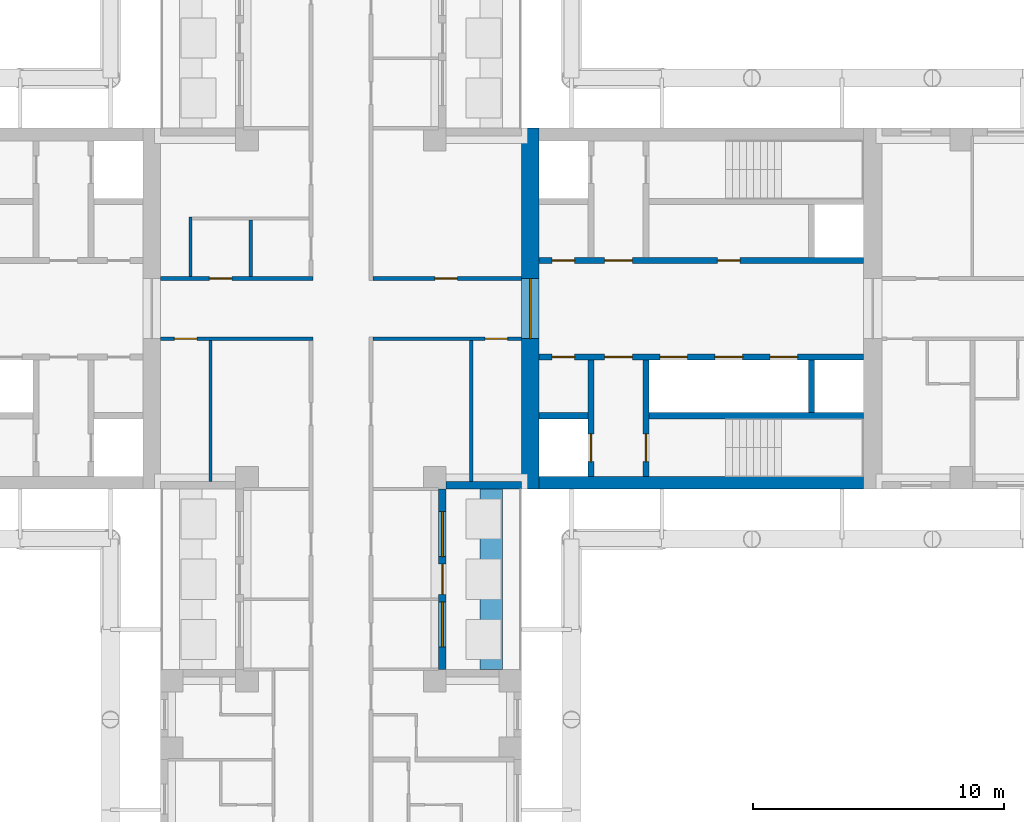
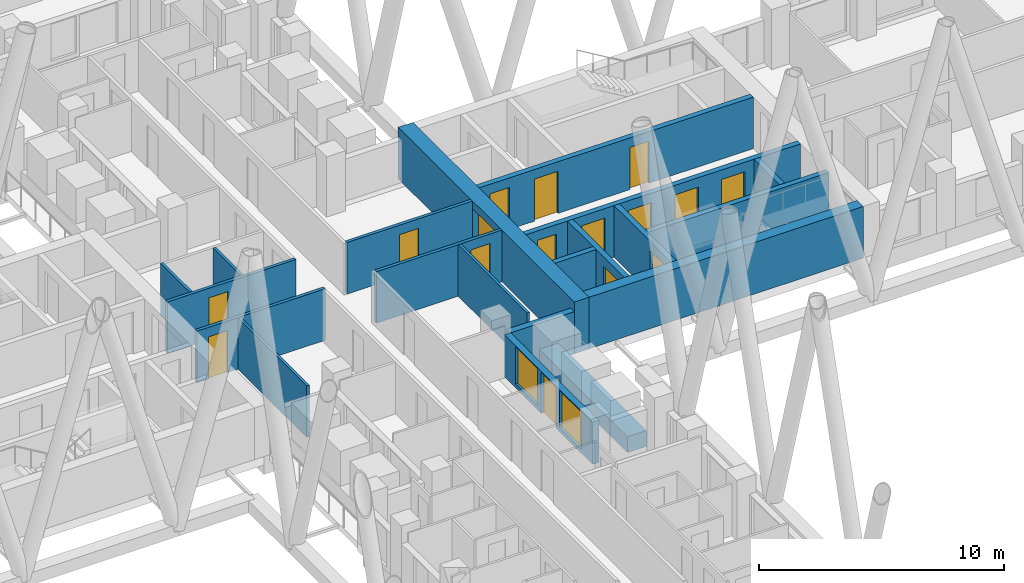
# One storey, part 9 of 16: 20 walls, 16 doors, 2 windows, 18 openings.
"""IFC4 building model written with IfcOpenShell, lengths in metres."""

import ifcopenshell
import ifcopenshell.guid

model = None  # the IFC model being written
_history = None  # IfcOwnerHistory: only IFC2X3 demands one
_inside = {}  # id of a spatial element -> (the spatial element, [elements in it])
_under = {}  # id of a project, library or spatial element -> (it, [spatial elements below it])
_declared = {}  # id of a project -> (the project, [libraries it declares])
_typed = {}  # id of a type object -> (the type object, [elements of that type])
_made_of = {}  # id of a material, layer set ... -> (it, [elements and type objects made of it])


def new_model(schema):
    """Start an empty IFC model of exactly this schema.

    Asked for "IFC4X3", IfcOpenShell would pick the latest addendum, in which some entities
    have other attributes; the version numbers below select the first issue.
    IFC2X3 requires an IfcOwnerHistory on every rooted entity: one is made here for all.
    """
    global model, _history
    if schema == "IFC4X3":
        model = ifcopenshell.file(schema_version=(4, 3, 0, 0))
    else:
        model = ifcopenshell.file(schema=schema)
    _inside.clear()
    _under.clear()
    _declared.clear()
    _typed.clear()
    _made_of.clear()
    _history = None
    if model.schema == "IFC2X3":
        org = make("IfcOrganization", Name="unknown")
        user = make(
            "IfcPersonAndOrganization",
            ThePerson=make("IfcPerson", FamilyName="unknown"),
            TheOrganization=org,
        )
        app = make(
            "IfcApplication",
            ApplicationDeveloper=org,
            Version="unknown",
            ApplicationFullName="unknown",
            ApplicationIdentifier="unknown",
        )
        _history = make(
            "IfcOwnerHistory",
            OwningUser=user,
            OwningApplication=app,
            ChangeAction="ADDED",
            CreationDate=0,
        )
    return model


def make(cls, **values):
    """One entity of the class cls with the attributes given. An attribute that is None is left unset."""
    return model.create_entity(
        cls, **{name: value for name, value in values.items() if value is not None}
    )


def rooted(cls, **values):
    """An entity with a GlobalId (a new one), such as an element, a storey or a relation."""
    return make(cls, GlobalId=ifcopenshell.guid.new(), OwnerHistory=_history, **values)


def si_unit(unit_type, name, prefix=None):
    """IfcSIUnit, for example si_unit("LENGTHUNIT", "METRE", prefix="MILLI")."""
    return make("IfcSIUnit", UnitType=unit_type, Prefix=prefix, Name=name)


def assignment(units):
    """IfcUnitAssignment: the units of a project."""
    return None if units is None else make("IfcUnitAssignment", Units=units)


def point(xyz):
    """IfcCartesianPoint."""
    return None if xyz is None else make("IfcCartesianPoint", Coordinates=xyz)


def direction(xyz):
    """IfcDirection."""
    return None if xyz is None else make("IfcDirection", DirectionRatios=xyz)


def frame(location, z_axis=None, x_axis=None):
    """IfcAxis2Placement3D, a coordinate frame: its origin and axes. An axis left out is left unset."""
    return make(
        "IfcAxis2Placement3D",
        Location=point(location),
        Axis=direction(z_axis),
        RefDirection=direction(x_axis),
    )


def frame_2d(location, x_axis=None):
    """IfcAxis2Placement2D, a coordinate frame in the plane: its origin and x axis."""
    return make(
        "IfcAxis2Placement2D", Location=point(location), RefDirection=direction(x_axis)
    )


def origin():
    """The frame at (0, 0, 0) with its axes left unset."""
    return frame((0.0, 0.0, 0.0))


def place(relative_to, where):
    """IfcLocalPlacement: puts the frame where relative to a parent placement (None: the world)."""
    return make(
        "IfcLocalPlacement", PlacementRelTo=relative_to, RelativePlacement=where
    )


def context(
    kind, dimensions, precision=None, world=None, true_north=None, identifier=None
):
    """IfcGeometricRepresentationContext, for example the 3D "Model" context."""
    return make(
        "IfcGeometricRepresentationContext",
        ContextIdentifier=identifier,
        ContextType=kind,
        CoordinateSpaceDimension=dimensions,
        Precision=precision,
        WorldCoordinateSystem=world,
        TrueNorth=true_north,
    )


def subcontext(parent, identifier, kind, view, scale=None):
    """IfcGeometricRepresentationSubContext, for example "Body" below "Model"."""
    return make(
        "IfcGeometricRepresentationSubContext",
        ContextIdentifier=identifier,
        ContextType=kind,
        ParentContext=parent,
        TargetScale=scale,
        TargetView=view,
    )


def project(units=None, contexts=None):
    """IfcProject with its units and contexts."""
    return rooted(
        "IfcProject",
        Name="project",
        RepresentationContexts=contexts,
        UnitsInContext=assignment(units),
    )


def spatial(cls, under=None, at=None, **own):
    """A site, building, storey or space (cls), placed at a placement, below another one or the project."""
    s = rooted(cls, ObjectPlacement=at, **own)
    if under is not None:
        _under.setdefault(under.id(), (under, []))[1].append(s)
    return s


def profile(cls, at=None, kind="AREA", **sizes):
    """A parametric profile (cls). Its sizes go by their IFC names, for example OverallWidth=200.0."""
    return make(cls, ProfileType=kind, Position=at, **sizes)


def rectangle(**sizes):
    """IfcRectangleProfileDef."""
    return profile("IfcRectangleProfileDef", **sizes)


def extrude(swept, where, along, depth):
    """IfcExtrudedAreaSolid: the profile swept, set in the frame where, extruded along a direction by depth."""
    return make(
        "IfcExtrudedAreaSolid",
        SweptArea=swept,
        Position=where,
        ExtrudedDirection=direction(along),
        Depth=depth,
    )


def shape(context_of_items, identifier, shape_type, items):
    """IfcShapeRepresentation: the items that make up one representation, for example the "Body"."""
    return make(
        "IfcShapeRepresentation",
        ContextOfItems=context_of_items,
        RepresentationIdentifier=identifier,
        RepresentationType=shape_type,
        Items=items,
    )


def material(Name=None, Category=None):
    """IfcMaterial."""
    return make("IfcMaterial", Name=Name, Category=Category)


def layer(
    of_material, thickness, ventilated=None, Name=None, Category=None, Priority=None
):
    """IfcMaterialLayer: one layer of a wall or slab, of a material (None: an air gap)."""
    return make(
        "IfcMaterialLayer",
        Material=of_material,
        LayerThickness=thickness,
        IsVentilated=ventilated,
        Name=Name,
        Category=Category,
        Priority=Priority,
    )


def layer_set(layers, Name=None):
    """IfcMaterialLayerSet."""
    return make("IfcMaterialLayerSet", MaterialLayers=layers, LayerSetName=Name)


def made_of(thing, what):
    """Note that an element or type object is made of a material, layer set ...; save() writes the relation."""
    if what is not None:
        _made_of.setdefault(what.id(), (what, []))[1].append(thing)
    return thing


def type_object(cls, material=None, **own):
    """A type object (cls), such as IfcWallType, which elements share."""
    return made_of(rooted(cls, **own), material)


def element(
    cls,
    number,
    at=None,
    inside=None,
    cuts=None,
    type_object=None,
    material=None,
    context=None,
    identifier="Body",
    shape_type=None,
    held_by="IfcProductDefinitionShape",
    body=None,
    shapes=None,
    **own,
):
    """One element of the class cls, such as IfcWall. Its Tag is "e" and its number.

    at: its placement. inside: the storey or other place that contains it. cuts: it is an
    opening in that element (IfcRelVoidsElement). A single representation is given by context,
    identifier, shape_type and body (its items); several are given by shapes. held_by: the class
    of the entity that holds the representations. save() writes the other relations.
    """
    e = rooted(cls, Tag="e%d" % number, ObjectPlacement=at, **own)
    if body is not None:
        shapes = [shape(context, identifier, shape_type, body)]
    if shapes is not None:
        e.Representation = make(held_by, Representations=shapes)
    if inside is not None:
        _inside.setdefault(inside.id(), (inside, []))[1].append(e)
    if cuts is not None:
        rooted(
            "IfcRelVoidsElement", RelatingBuildingElement=cuts, RelatedOpeningElement=e
        )
    if type_object is not None:
        _typed.setdefault(type_object.id(), (type_object, []))[1].append(e)
    return made_of(e, material)


def fill(opening, filler):
    """IfcRelFillsElement: the door or window that sits in an opening."""
    return rooted(
        "IfcRelFillsElement",
        RelatingOpeningElement=opening,
        RelatedBuildingElement=filler,
    )


def aggregate(whole, parts):
    """IfcRelAggregates: a whole, such as a stair, and the parts it consists of."""
    return rooted("IfcRelAggregates", RelatingObject=whole, RelatedObjects=parts)


def save(model, path):
    """Write the relations noted so far, then the file.

    IfcRelAggregates (storeys below a building ...), IfcRelContainedInSpatialStructure (elements
    in a storey), IfcRelDefinesByType, IfcRelAssociatesMaterial and IfcRelDeclares: one each for
    every whole, place, type object, material and project.
    """
    for whole, parts in _under.values():
        aggregate(whole, parts)
    for where, things in _inside.values():
        rooted(
            "IfcRelContainedInSpatialStructure",
            RelatedElements=things,
            RelatingStructure=where,
        )
    for kind, things in _typed.values():
        rooted("IfcRelDefinesByType", RelatedObjects=things, RelatingType=kind)
    for what, things in _made_of.values():
        rooted("IfcRelAssociatesMaterial", RelatedObjects=things, RelatingMaterial=what)
    for by, libraries in _declared.values():
        rooted("IfcRelDeclares", RelatingContext=by, RelatedDefinitions=libraries)
    model.write(path)


model = new_model("IFC4")

# Units and contexts
model_context = context("Model", 3, precision=1e-05, world=origin(), true_north=direction((0.0, 1.0)))
body_context = subcontext(model_context, "Body", "Model", "MODEL_VIEW")
ifc_project = project(units=[si_unit("LENGTHUNIT", "METRE"), si_unit("AREAUNIT", "SQUARE_METRE"), si_unit("VOLUMEUNIT", "CUBIC_METRE"), si_unit("PLANEANGLEUNIT", "RADIAN"), si_unit("MASSUNIT", "GRAM", prefix="KILO")], contexts=[model_context])

# Site, building, storey
site_placement = place(None, origin())
site = spatial("IfcSite", under=ifc_project, at=site_placement, CompositionType="ELEMENT")
building_placement = place(site_placement, origin())
building = spatial("IfcBuilding", under=site, at=building_placement, Name="Fustian Cross Tower", CompositionType="ELEMENT")
storey_placement = place(building_placement, frame((0.0, 0.0, 66.89990234375)))
storey = spatial("IfcBuildingStorey", under=building, at=storey_placement, Name="L20", CompositionType="ELEMENT", Elevation=66.89990234375)

# Wall, opening, door
ifc_material_1 = material(Name="Plasterboard on steel stud", Category="steel")
ifc_layer_1 = layer(ifc_material_1, 0.14990234375)
ifc_layer_set_1 = layer_set([ifc_layer_1], Name="Plasterboard on steel stud")
wall_type_1 = type_object("IfcWallType", Name="COMPARTMENT WALL 150 EI 60", PredefinedType="PARTITIONING", material=ifc_layer_set_1)
wall_1_placement = place(storey_placement, frame((-7.199951171875, -1.199951171875, 0.0), z_axis=(0.0, 0.0, 1.0), x_axis=(1.0, 0.0, 0.0)))
wall_1 = element("IfcWall", 1, at=wall_1_placement, inside=storey, type_object=wall_type_1, Name="Partition 16", PredefinedType="PARTITIONING", context=body_context, shape_type="SweptSolid", body=[
    extrude(rectangle(XDim=6.074951171875, YDim=0.14990234375, at=frame_2d((3.03759765625, 0.0))), origin(), (0.0, 0.0, 1.0), 2.5751953125),
])
opening_1_placement = place(wall_1_placement, frame((0.550048828125, 0.0, 0.0)))
opening_1 = element("IfcOpeningElement", 2, at=opening_1_placement, cuts=wall_1, Name="Opening D11008", PredefinedType="OPENING", context=body_context, shape_type="SweptSolid", body=[
    extrude(rectangle(XDim=0.89990234375, YDim=2.10009765625, at=frame_2d((0.449951171875, 1.050048828125))), frame((0.0, 0.0849609375, 0.0), z_axis=(0.0, -1.0, 0.0), x_axis=(1.0, 0.0, 0.0)), (0.0, 0.0, 1.0), 0.169921875),
])
ifc_material_2 = material(Name="Timber fire door set", Category="wood")
door_type_1 = type_object("IfcDoorType", Name="FIRE SWING DOOR 900 FD30S", OperationType="SINGLE_SWING_LEFT", PredefinedType="DOOR", material=ifc_material_2)
door_1_placement = place(opening_1_placement, frame((0.89990234375, 0.0, 0.0), z_axis=(0.0, 0.0, 1.0), x_axis=(-1.0, 0.0, 0.0)))
door_1 = element("IfcDoor", 3, at=door_1_placement, inside=storey, type_object=door_type_1, Name="Door D11008", OperationType="SINGLE_SWING_RIGHT", OverallHeight=2.10009765625, OverallWidth=0.89990234375, PredefinedType="DOOR", context=body_context, shape_type="SweptSolid", body=[
    extrude(rectangle(XDim=0.89990234375, YDim=2.10009765625, at=frame_2d((0.449951171875, 1.050048828125))), frame((0.0, 0.02490234375, 0.0), z_axis=(0.0, -1.0, 0.0), x_axis=(1.0, 0.0, 0.0)), (0.0, 0.0, 1.0), 0.050048828125),
])
fill(opening_1, door_1)

wall_2_placement = place(storey_placement, frame((-7.199951171875, 1.199951171875, 0.0), z_axis=(0.0, 0.0, 1.0), x_axis=(1.0, 0.0, 0.0)))
wall_2 = element("IfcWall", 4, at=wall_2_placement, inside=storey, type_object=wall_type_1, Name="Partition 17", PredefinedType="PARTITIONING", context=body_context, shape_type="SweptSolid", body=[
    extrude(rectangle(XDim=6.074951171875, YDim=0.14990234375, at=frame_2d((3.03759765625, 0.0))), origin(), (0.0, 0.0, 1.0), 2.5751953125),
])
opening_2_placement = place(wall_2_placement, frame((1.949951171875, 0.0, 0.0)))
opening_2 = element("IfcOpeningElement", 5, at=opening_2_placement, cuts=wall_2, Name="Opening D11003", PredefinedType="OPENING", context=body_context, shape_type="SweptSolid", body=[
    extrude(rectangle(XDim=0.89990234375, YDim=2.10009765625, at=frame_2d((0.449951171875, 1.050048828125))), frame((0.0, 0.0849609375, 0.0), z_axis=(0.0, -1.0, 0.0), x_axis=(1.0, 0.0, 0.0)), (0.0, 0.0, 1.0), 0.169921875),
])
door_2_placement = place(opening_2_placement, origin())
door_2 = element("IfcDoor", 6, at=door_2_placement, inside=storey, type_object=door_type_1, Name="Door D11003", OperationType="SINGLE_SWING_LEFT", OverallHeight=2.10009765625, OverallWidth=0.89990234375, PredefinedType="DOOR", context=body_context, shape_type="SweptSolid", body=[
    extrude(rectangle(XDim=0.89990234375, YDim=2.10009765625, at=frame_2d((0.449951171875, 1.050048828125))), frame((0.0, 0.02490234375, 0.0), z_axis=(0.0, -1.0, 0.0), x_axis=(1.0, 0.0, 0.0)), (0.0, 0.0, 1.0), 0.050048828125),
])
fill(opening_2, door_2)

wall_3_placement = place(storey_placement, frame((1.27490234375, -1.199951171875, 0.0), z_axis=(0.0, 0.0, 1.0), x_axis=(1.0, 0.0, 0.0)))
wall_3 = element("IfcWall", 7, at=wall_3_placement, inside=storey, type_object=wall_type_1, Name="Partition 59", PredefinedType="PARTITIONING", context=body_context, shape_type="SweptSolid", body=[
    extrude(rectangle(XDim=5.925048828125, YDim=0.14990234375, at=frame_2d((2.96240234375, 0.0))), origin(), (0.0, 0.0, 1.0), 2.5751953125),
])
opening_3_placement = place(wall_3_placement, frame((4.47509765625, 0.0, 0.0)))
opening_3 = element("IfcOpeningElement", 8, at=opening_3_placement, cuts=wall_3, Name="Opening D11006", PredefinedType="OPENING", context=body_context, shape_type="SweptSolid", body=[
    extrude(rectangle(XDim=0.89990234375, YDim=2.10009765625, at=frame_2d((0.449951171875, 1.050048828125))), frame((0.0, 0.0849609375, 0.0), z_axis=(0.0, -1.0, 0.0), x_axis=(1.0, 0.0, 0.0)), (0.0, 0.0, 1.0), 0.169921875),
])
door_3_placement = place(opening_3_placement, frame((0.89990234375, 0.0, 0.0), z_axis=(0.0, 0.0, 1.0), x_axis=(-1.0, 0.0, 0.0)))
door_3 = element("IfcDoor", 9, at=door_3_placement, inside=storey, type_object=door_type_1, Name="Door D11006", OperationType="SINGLE_SWING_RIGHT", OverallHeight=2.10009765625, OverallWidth=0.89990234375, PredefinedType="DOOR", context=body_context, shape_type="SweptSolid", body=[
    extrude(rectangle(XDim=0.89990234375, YDim=2.10009765625, at=frame_2d((0.449951171875, 1.050048828125))), frame((0.0, 0.02490234375, 0.0), z_axis=(0.0, -1.0, 0.0), x_axis=(1.0, 0.0, 0.0)), (0.0, 0.0, 1.0), 0.050048828125),
])
fill(opening_3, door_3)

wall_4_placement = place(storey_placement, frame((1.27490234375, 1.199951171875, 0.0), z_axis=(0.0, 0.0, 1.0), x_axis=(1.0, 0.0, 0.0)))
wall_4 = element("IfcWall", 10, at=wall_4_placement, inside=storey, type_object=wall_type_1, Name="Partition 61", PredefinedType="PARTITIONING", context=body_context, shape_type="SweptSolid", body=[
    extrude(rectangle(XDim=5.925048828125, YDim=0.14990234375, at=frame_2d((2.96240234375, 0.0))), origin(), (0.0, 0.0, 1.0), 2.5751953125),
])
opening_4_placement = place(wall_4_placement, frame((2.47509765625, 0.0, 0.0)))
opening_4 = element("IfcOpeningElement", 11, at=opening_4_placement, cuts=wall_4, Name="Opening D11001", PredefinedType="OPENING", context=body_context, shape_type="SweptSolid", body=[
    extrude(rectangle(XDim=0.89990234375, YDim=2.10009765625, at=frame_2d((0.449951171875, 1.050048828125))), frame((0.0, 0.0849609375, 0.0), z_axis=(0.0, -1.0, 0.0), x_axis=(1.0, 0.0, 0.0)), (0.0, 0.0, 1.0), 0.169921875),
])
door_4_placement = place(opening_4_placement, origin())
door_4 = element("IfcDoor", 12, at=door_4_placement, inside=storey, type_object=door_type_1, Name="Door D11001", OperationType="SINGLE_SWING_LEFT", OverallHeight=2.10009765625, OverallWidth=0.89990234375, PredefinedType="DOOR", context=body_context, shape_type="SweptSolid", body=[
    extrude(rectangle(XDim=0.89990234375, YDim=2.10009765625, at=frame_2d((0.449951171875, 1.050048828125))), frame((0.0, 0.02490234375, 0.0), z_axis=(0.0, -1.0, 0.0), x_axis=(1.0, 0.0, 0.0)), (0.0, 0.0, 1.0), 0.050048828125),
])
fill(opening_4, door_4)

ifc_material_3 = material(Name="Concrete C70/85", Category="concrete")
ifc_layer_2 = layer(ifc_material_3, 0.699951171875)
ifc_layer_set_2 = layer_set([ifc_layer_2], Name="Concrete C70/85")
wall_type_2 = type_object("IfcWallType", Name="CORE END WALL 700 C70/85", PredefinedType="SHEAR", material=ifc_layer_set_2)
wall_5_placement = place(storey_placement, frame((7.550048828125, -7.199951171875, 0.0), z_axis=(0.0, 0.0, 1.0), x_axis=(0.0, 1.0, 0.0)))
wall_5 = element("IfcWall", 13, at=wall_5_placement, inside=storey, type_object=wall_type_2, Name="Core end wall", PredefinedType="SHEAR", context=body_context, shape_type="SweptSolid", body=[
    extrude(rectangle(XDim=14.39990234375, YDim=0.699951171875, at=frame_2d((7.199951171875, 0.0))), origin(), (0.0, 0.0, 1.0), 2.5751953125),
])
opening_5_placement = place(wall_5_placement, frame((6.0, 0.0, 0.0)))
opening_5 = element("IfcOpeningElement", 14, at=opening_5_placement, cuts=wall_5, Name="Opening CD-09-12", PredefinedType="OPENING", context=body_context, shape_type="SweptSolid", body=[
    extrude(rectangle(XDim=2.39990234375, YDim=2.199951171875, at=frame_2d((1.199951171875, 1.10009765625))), frame((0.0, 0.35986328125, 0.0), z_axis=(0.0, -1.0, 0.0), x_axis=(1.0, 0.0, 0.0)), (0.0, 0.0, 1.0), 0.719970703125),
])
ifc_material_4 = material(Name="Steel", Category="steel")
door_type_2 = type_object("IfcDoorType", Name="FIRE DOOR FD30S DOUBLE 2400X2200", OperationType="DOUBLE_DOOR_DOUBLE_SWING", PredefinedType="DOOR", material=ifc_material_4)
door_5_placement = place(opening_5_placement, frame((2.39990234375, 0.0, 0.0), z_axis=(0.0, 0.0, 1.0), x_axis=(-1.0, 0.0, 0.0)))
door_5 = element("IfcDoor", 15, at=door_5_placement, inside=storey, type_object=door_type_2, Name="Core door CD-09-12", OperationType="DOUBLE_DOOR_DOUBLE_SWING", OverallHeight=2.199951171875, OverallWidth=2.39990234375, PredefinedType="DOOR", context=body_context, shape_type="SweptSolid", body=[
    extrude(rectangle(XDim=2.39990234375, YDim=2.199951171875, at=frame_2d((1.199951171875, 1.10009765625))), frame((0.0, 0.02490234375, 0.0), z_axis=(0.0, -1.0, 0.0), x_axis=(1.0, 0.0, 0.0)), (0.0, 0.0, 1.0), 0.050048828125),
])
fill(opening_5, door_5)

# Wall
ifc_material_5 = material(Name="Concrete C70/85", Category="concrete")
ifc_layer_3 = layer(ifc_material_5, 0.5)
ifc_layer_set_3 = layer_set([ifc_layer_3], Name="Concrete C70/85")
wall_type_3 = type_object("IfcWallType", Name="CORE FACADE WALL 500 C70/85", PredefinedType="SHEAR", material=ifc_layer_set_3)
wall_6_placement = place(storey_placement, frame((7.89990234375, -6.949951171875, 0.0), z_axis=(0.0, 0.0, 1.0), x_axis=(1.0, 0.0, 0.0)))
element("IfcWall", 16, at=wall_6_placement, inside=storey, type_object=wall_type_3, Name="Core facade wall", PredefinedType="SHEAR", context=body_context, shape_type="SweptSolid", body=[
    extrude(rectangle(XDim=12.9501953125, YDim=0.5, at=frame_2d((6.47509765625, 0.0))), origin(), (0.0, 0.0, 1.0), 2.5751953125),
])

# Wall, openings, doors
ifc_material_6 = material(Name="Concrete C50/60", Category="concrete")
ifc_layer_4 = layer(ifc_material_6, 0.25)
ifc_layer_set_4 = layer_set([ifc_layer_4], Name="Concrete C50/60")
wall_type_4 = type_object("IfcWallType", Name="CORE LOBBY WALL 250 C50/60", PredefinedType="SHEAR", material=ifc_layer_set_4)
wall_7_placement = place(storey_placement, frame((7.89990234375, 1.925048828125, 0.0), z_axis=(0.0, 0.0, 1.0), x_axis=(1.0, 0.0, 0.0)))
wall_7 = element("IfcWall", 17, at=wall_7_placement, inside=storey, type_object=wall_type_4, Name="Core lobby wall", PredefinedType="SHEAR", context=body_context, shape_type="SweptSolid", body=[
    extrude(rectangle(XDim=12.9501953125, YDim=0.25, at=frame_2d((6.47509765625, 0.0))), origin(), (0.0, 0.0, 1.0), 2.5751953125),
])
opening_6_placement = place(wall_7_placement, frame((0.52490234375, 0.0, 0.0)))
opening_6 = element("IfcOpeningElement", 18, at=opening_6_placement, cuts=wall_7, Name="Opening CD-09-08", PredefinedType="OPENING", context=body_context, shape_type="SweptSolid", body=[
    extrude(rectangle(XDim=0.89990234375, YDim=2.10009765625, at=frame_2d((0.449951171875, 1.050048828125))), frame((0.0, 0.135009765625, 0.0), z_axis=(0.0, -1.0, 0.0), x_axis=(1.0, 0.0, 0.0)), (0.0, 0.0, 1.0), 0.27001953125),
])
opening_7_placement = place(wall_7_placement, frame((2.625, 0.0, 0.0)))
opening_7 = element("IfcOpeningElement", 19, at=opening_7_placement, cuts=wall_7, Name="Opening CD-09-10", PredefinedType="OPENING", context=body_context, shape_type="SweptSolid", body=[
    extrude(rectangle(XDim=1.10009765625, YDim=2.10009765625, at=frame_2d((0.550048828125, 1.050048828125))), frame((0.0, 0.135009765625, 0.0), z_axis=(0.0, -1.0, 0.0), x_axis=(1.0, 0.0, 0.0)), (0.0, 0.0, 1.0), 0.27001953125),
])
opening_8_placement = place(wall_7_placement, frame((7.125, 0.0, 0.0)))
opening_8 = element("IfcOpeningElement", 20, at=opening_8_placement, cuts=wall_7, Name="Opening CD-09-14", PredefinedType="OPENING", context=body_context, shape_type="SweptSolid", body=[
    extrude(rectangle(XDim=0.89990234375, YDim=2.10009765625, at=frame_2d((0.449951171875, 1.050048828125))), frame((0.0, 0.135009765625, 0.0), z_axis=(0.0, -1.0, 0.0), x_axis=(1.0, 0.0, 0.0)), (0.0, 0.0, 1.0), 0.27001953125),
])
ifc_material_7 = material(Name="Steel", Category="steel")
door_type_3 = type_object("IfcDoorType", Name="FIRE DOOR FD30S 900X2100", OperationType="SINGLE_SWING_LEFT", PredefinedType="DOOR", material=ifc_material_7)
door_6_placement = place(opening_8_placement, origin())
door_6 = element("IfcDoor", 21, at=door_6_placement, inside=storey, type_object=door_type_3, Name="Core door CD-09-14", OperationType="SINGLE_SWING_LEFT", OverallHeight=2.10009765625, OverallWidth=0.89990234375, PredefinedType="DOOR", context=body_context, shape_type="SweptSolid", body=[
    extrude(rectangle(XDim=0.89990234375, YDim=2.10009765625, at=frame_2d((0.449951171875, 1.050048828125))), frame((0.0, 0.02490234375, 0.0), z_axis=(0.0, -1.0, 0.0), x_axis=(1.0, 0.0, 0.0)), (0.0, 0.0, 1.0), 0.050048828125),
])
fill(opening_8, door_6)
ifc_material_8 = material(Name="Steel", Category="steel")
door_type_4 = type_object("IfcDoorType", Name="FIRE DOOR FD60S 1100X2100", OperationType="SINGLE_SWING_LEFT", PredefinedType="DOOR", material=ifc_material_8)
door_7_placement = place(opening_7_placement, frame((1.10009765625, 0.0, 0.0), z_axis=(0.0, 0.0, 1.0), x_axis=(-1.0, 0.0, 0.0)))
door_7 = element("IfcDoor", 22, at=door_7_placement, inside=storey, type_object=door_type_4, Name="Core door CD-09-10", OperationType="SINGLE_SWING_RIGHT", OverallHeight=2.10009765625, OverallWidth=1.10009765625, PredefinedType="DOOR", context=body_context, shape_type="SweptSolid", body=[
    extrude(rectangle(XDim=1.10009765625, YDim=2.10009765625, at=frame_2d((0.550048828125, 1.050048828125))), frame((0.0, 0.02490234375, 0.0), z_axis=(0.0, -1.0, 0.0), x_axis=(1.0, 0.0, 0.0)), (0.0, 0.0, 1.0), 0.050048828125),
])
fill(opening_7, door_7)
ifc_material_9 = material(Name="Steel", Category="steel")
door_type_5 = type_object("IfcDoorType", Name="FIRE DOOR FD60S 900X2100", OperationType="SINGLE_SWING_LEFT", PredefinedType="DOOR", material=ifc_material_9)
door_8_placement = place(opening_6_placement, origin())
door_8 = element("IfcDoor", 23, at=door_8_placement, inside=storey, type_object=door_type_5, Name="Core door CD-09-08", OperationType="SINGLE_SWING_LEFT", OverallHeight=2.10009765625, OverallWidth=0.89990234375, PredefinedType="DOOR", context=body_context, shape_type="SweptSolid", body=[
    extrude(rectangle(XDim=0.89990234375, YDim=2.10009765625, at=frame_2d((0.449951171875, 1.050048828125))), frame((0.0, 0.02490234375, 0.0), z_axis=(0.0, -1.0, 0.0), x_axis=(1.0, 0.0, 0.0)), (0.0, 0.0, 1.0), 0.050048828125),
])
fill(opening_6, door_8)

wall_8_placement = place(storey_placement, frame((7.89990234375, -1.925048828125, 0.0), z_axis=(0.0, 0.0, 1.0), x_axis=(1.0, 0.0, 0.0)))
wall_8 = element("IfcWall", 24, at=wall_8_placement, inside=storey, type_object=wall_type_4, Name="Core lobby wall", PredefinedType="SHEAR", context=body_context, shape_type="SweptSolid", body=[
    extrude(rectangle(XDim=12.9501953125, YDim=0.25, at=frame_2d((6.47509765625, 0.0))), origin(), (0.0, 0.0, 1.0), 2.5751953125),
])
opening_9_placement = place(wall_8_placement, frame((4.824951171875, 0.0, 0.0)))
opening_9 = element("IfcOpeningElement", 25, at=opening_9_placement, cuts=wall_8, Name="Opening LD", PredefinedType="OPENING", context=body_context, shape_type="SweptSolid", body=[
    extrude(rectangle(XDim=1.10009765625, YDim=2.10009765625, at=frame_2d((0.550048828125, 1.050048828125))), frame((0.0, 0.135009765625, 0.0), z_axis=(0.0, -1.0, 0.0), x_axis=(1.0, 0.0, 0.0)), (0.0, 0.0, 1.0), 0.27001953125),
])
opening_10_placement = place(wall_8_placement, frame((7.02490234375, 0.0, 0.0)))
opening_10 = element("IfcOpeningElement", 26, at=opening_10_placement, cuts=wall_8, Name="Opening LD", PredefinedType="OPENING", context=body_context, shape_type="SweptSolid", body=[
    extrude(rectangle(XDim=1.10009765625, YDim=2.10009765625, at=frame_2d((0.550048828125, 1.050048828125))), frame((0.0, 0.135009765625, 0.0), z_axis=(0.0, -1.0, 0.0), x_axis=(1.0, 0.0, 0.0)), (0.0, 0.0, 1.0), 0.27001953125),
])
opening_11_placement = place(wall_8_placement, frame((9.22509765625, 0.0, 0.0)))
opening_11 = element("IfcOpeningElement", 27, at=opening_11_placement, cuts=wall_8, Name="Opening LD", PredefinedType="OPENING", context=body_context, shape_type="SweptSolid", body=[
    extrude(rectangle(XDim=1.10009765625, YDim=2.10009765625, at=frame_2d((0.550048828125, 1.050048828125))), frame((0.0, 0.135009765625, 0.0), z_axis=(0.0, -1.0, 0.0), x_axis=(1.0, 0.0, 0.0)), (0.0, 0.0, 1.0), 0.27001953125),
])
opening_12_placement = place(wall_8_placement, frame((0.52490234375, 0.0, 0.0)))
opening_12 = element("IfcOpeningElement", 28, at=opening_12_placement, cuts=wall_8, Name="Opening CD-09-09", PredefinedType="OPENING", context=body_context, shape_type="SweptSolid", body=[
    extrude(rectangle(XDim=0.89990234375, YDim=2.10009765625, at=frame_2d((0.449951171875, 1.050048828125))), frame((0.0, 0.135009765625, 0.0), z_axis=(0.0, -1.0, 0.0), x_axis=(1.0, 0.0, 0.0)), (0.0, 0.0, 1.0), 0.27001953125),
])
opening_13_placement = place(wall_8_placement, frame((2.625, 0.0, 0.0)))
opening_13 = element("IfcOpeningElement", 29, at=opening_13_placement, cuts=wall_8, Name="Opening CD-09-11", PredefinedType="OPENING", context=body_context, shape_type="SweptSolid", body=[
    extrude(rectangle(XDim=1.10009765625, YDim=2.10009765625, at=frame_2d((0.550048828125, 1.050048828125))), frame((0.0, 0.135009765625, 0.0), z_axis=(0.0, -1.0, 0.0), x_axis=(1.0, 0.0, 0.0)), (0.0, 0.0, 1.0), 0.27001953125),
])
ifc_material_10 = material(Name="Steel", Category="steel")
door_type_6 = type_object("IfcDoorType", Name="FIRE DOOR FD30S 1100X2100", OperationType="SINGLE_SWING_LEFT", PredefinedType="DOOR", material=ifc_material_10)
door_9_placement = place(opening_13_placement, frame((1.10009765625, 0.0, 0.0), z_axis=(0.0, 0.0, 1.0), x_axis=(-1.0, 0.0, 0.0)))
door_9 = element("IfcDoor", 30, at=door_9_placement, inside=storey, type_object=door_type_6, Name="Core door CD-09-11", OperationType="SINGLE_SWING_RIGHT", OverallHeight=2.10009765625, OverallWidth=1.10009765625, PredefinedType="DOOR", context=body_context, shape_type="SweptSolid", body=[
    extrude(rectangle(XDim=1.10009765625, YDim=2.10009765625, at=frame_2d((0.550048828125, 1.050048828125))), frame((0.0, 0.02490234375, 0.0), z_axis=(0.0, -1.0, 0.0), x_axis=(1.0, 0.0, 0.0)), (0.0, 0.0, 1.0), 0.050048828125),
])
fill(opening_13, door_9)
door_10_placement = place(opening_12_placement, frame((0.89990234375, 0.0, 0.0), z_axis=(0.0, 0.0, 1.0), x_axis=(-1.0, 0.0, 0.0)))
door_10 = element("IfcDoor", 31, at=door_10_placement, inside=storey, type_object=door_type_3, Name="Core door CD-09-09", OperationType="SINGLE_SWING_RIGHT", OverallHeight=2.10009765625, OverallWidth=0.89990234375, PredefinedType="DOOR", context=body_context, shape_type="SweptSolid", body=[
    extrude(rectangle(XDim=0.89990234375, YDim=2.10009765625, at=frame_2d((0.449951171875, 1.050048828125))), frame((0.0, 0.02490234375, 0.0), z_axis=(0.0, -1.0, 0.0), x_axis=(1.0, 0.0, 0.0)), (0.0, 0.0, 1.0), 0.050048828125),
])
fill(opening_12, door_10)
ifc_material_11 = material(Name="Stainless steel", Category="steel")
door_type_7 = type_object("IfcDoorType", Name="LIFT LANDING DOOR 1100X2100", OperationType="SLIDING_TO_LEFT", PredefinedType="DOOR", material=ifc_material_11)
door_11_placement = place(opening_9_placement, origin())
door_11 = element("IfcDoor", 32, at=door_11_placement, inside=storey, type_object=door_type_7, Name="Landing door LR1", OperationType="SLIDING_TO_LEFT", OverallHeight=2.10009765625, OverallWidth=1.10009765625, PredefinedType="DOOR", context=body_context, shape_type="SweptSolid", body=[
    extrude(rectangle(XDim=1.10009765625, YDim=2.10009765625, at=frame_2d((0.550048828125, 1.050048828125))), frame((0.0, 0.02490234375, 0.0), z_axis=(0.0, -1.0, 0.0), x_axis=(1.0, 0.0, 0.0)), (0.0, 0.0, 1.0), 0.050048828125),
])
fill(opening_9, door_11)
door_12_placement = place(opening_10_placement, origin())
door_12 = element("IfcDoor", 33, at=door_12_placement, inside=storey, type_object=door_type_7, Name="Landing door LR2", OperationType="SLIDING_TO_LEFT", OverallHeight=2.10009765625, OverallWidth=1.10009765625, PredefinedType="DOOR", context=body_context, shape_type="SweptSolid", body=[
    extrude(rectangle(XDim=1.10009765625, YDim=2.10009765625, at=frame_2d((0.550048828125, 1.050048828125))), frame((0.0, 0.02490234375, 0.0), z_axis=(0.0, -1.0, 0.0), x_axis=(1.0, 0.0, 0.0)), (0.0, 0.0, 1.0), 0.050048828125),
])
fill(opening_10, door_12)
door_13_placement = place(opening_11_placement, origin())
door_13 = element("IfcDoor", 34, at=door_13_placement, inside=storey, type_object=door_type_7, Name="Landing door LR3", OperationType="SLIDING_TO_LEFT", OverallHeight=2.10009765625, OverallWidth=1.10009765625, PredefinedType="DOOR", context=body_context, shape_type="SweptSolid", body=[
    extrude(rectangle(XDim=1.10009765625, YDim=2.10009765625, at=frame_2d((0.550048828125, 1.050048828125))), frame((0.0, 0.02490234375, 0.0), z_axis=(0.0, -1.0, 0.0), x_axis=(1.0, 0.0, 0.0)), (0.0, 0.0, 1.0), 0.050048828125),
])
fill(opening_11, door_13)

# Walls
ifc_material_12 = material(Name="Concrete C50/60", Category="concrete")
ifc_layer_5 = layer(ifc_material_12, 0.25)
ifc_layer_set_5 = layer_set([ifc_layer_5], Name="Concrete C50/60")
wall_type_5 = type_object("IfcWallType", Name="CORE SHAFT WALL 250 C50/60", PredefinedType="SHEAR", material=ifc_layer_set_5)
wall_9_placement = place(storey_placement, frame((7.89990234375, -4.27490234375, 0.0), z_axis=(0.0, 0.0, 1.0), x_axis=(1.0, 0.0, 0.0)))
element("IfcWall", 35, at=wall_9_placement, inside=storey, type_object=wall_type_5, Name="Core shaft wall", PredefinedType="SHEAR", context=body_context, shape_type="SweptSolid", body=[
    extrude(rectangle(XDim=1.9501953125, YDim=0.25, at=frame_2d((0.97509765625, 0.0))), origin(), (0.0, 0.0, 1.0), 2.5751953125),
])
wall_10_placement = place(storey_placement, frame((12.300048828125, -4.27490234375, 0.0), z_axis=(0.0, 0.0, 1.0), x_axis=(1.0, 0.0, 0.0)))
element("IfcWall", 36, at=wall_10_placement, inside=storey, type_object=wall_type_5, Name="Core shaft wall", PredefinedType="SHEAR", context=body_context, shape_type="SweptSolid", body=[
    extrude(rectangle(XDim=8.550048828125, YDim=0.25, at=frame_2d((4.27490234375, 0.0))), origin(), (0.0, 0.0, 1.0), 2.5751953125),
])

# Wall, opening, door
wall_11_placement = place(storey_placement, frame((9.97509765625, -2.050048828125, 0.0), z_axis=(0.0, 0.0, 1.0), x_axis=(0.0, -1.0, 0.0)))
wall_11 = element("IfcWall", 37, at=wall_11_placement, inside=storey, type_object=wall_type_5, Name="Core shaft wall", PredefinedType="SHEAR", context=body_context, shape_type="SweptSolid", body=[
    extrude(rectangle(XDim=4.64990234375, YDim=0.25, at=frame_2d((2.324951171875, 0.0))), origin(), (0.0, 0.0, 1.0), 2.5751953125),
])
opening_14_placement = place(wall_11_placement, frame((2.949951171875, 0.0, 0.0)))
opening_14 = element("IfcOpeningElement", 38, at=opening_14_placement, cuts=wall_11, Name="Opening LD", PredefinedType="OPENING", context=body_context, shape_type="SweptSolid", body=[
    extrude(rectangle(XDim=1.10009765625, YDim=2.10009765625, at=frame_2d((0.550048828125, 1.050048828125))), frame((0.0, 0.135009765625, 0.0), z_axis=(0.0, -1.0, 0.0), x_axis=(1.0, 0.0, 0.0)), (0.0, 0.0, 1.0), 0.27001953125),
])
door_14_placement = place(opening_14_placement, origin())
door_14 = element("IfcDoor", 39, at=door_14_placement, inside=storey, type_object=door_type_7, Name="Landing door SV1", OperationType="SLIDING_TO_LEFT", OverallHeight=2.10009765625, OverallWidth=1.10009765625, PredefinedType="DOOR", context=body_context, shape_type="SweptSolid", body=[
    extrude(rectangle(XDim=1.10009765625, YDim=2.10009765625, at=frame_2d((0.550048828125, 1.050048828125))), frame((0.0, 0.02490234375, 0.0), z_axis=(0.0, -1.0, 0.0), x_axis=(1.0, 0.0, 0.0)), (0.0, 0.0, 1.0), 0.050048828125),
])
fill(opening_14, door_14)

wall_12_placement = place(storey_placement, frame((12.175048828125, -2.050048828125, 0.0), z_axis=(0.0, 0.0, 1.0), x_axis=(0.0, -1.0, 0.0)))
wall_12 = element("IfcWall", 40, at=wall_12_placement, inside=storey, type_object=wall_type_5, Name="Core shaft wall", PredefinedType="SHEAR", context=body_context, shape_type="SweptSolid", body=[
    extrude(rectangle(XDim=4.64990234375, YDim=0.25, at=frame_2d((2.324951171875, 0.0))), origin(), (0.0, 0.0, 1.0), 2.5751953125),
])
opening_15_placement = place(wall_12_placement, frame((2.949951171875, 0.0, 0.0)))
opening_15 = element("IfcOpeningElement", 41, at=opening_15_placement, cuts=wall_12, Name="Opening CD-09-07", PredefinedType="OPENING", context=body_context, shape_type="SweptSolid", body=[
    extrude(rectangle(XDim=1.10009765625, YDim=2.10009765625, at=frame_2d((0.550048828125, 1.050048828125))), frame((0.0, 0.135009765625, 0.0), z_axis=(0.0, -1.0, 0.0), x_axis=(1.0, 0.0, 0.0)), (0.0, 0.0, 1.0), 0.27001953125),
])
door_15_placement = place(opening_15_placement, origin())
door_15 = element("IfcDoor", 42, at=door_15_placement, inside=storey, type_object=door_type_4, Name="Core door CD-09-07", OperationType="SINGLE_SWING_LEFT", OverallHeight=2.10009765625, OverallWidth=1.10009765625, PredefinedType="DOOR", context=body_context, shape_type="SweptSolid", body=[
    extrude(rectangle(XDim=1.10009765625, YDim=2.10009765625, at=frame_2d((0.550048828125, 1.050048828125))), frame((0.0, 0.02490234375, 0.0), z_axis=(0.0, -1.0, 0.0), x_axis=(1.0, 0.0, 0.0)), (0.0, 0.0, 1.0), 0.050048828125),
])
fill(opening_15, door_15)

# Walls
ifc_material_13 = material(Name="Concrete C40/50", Category="concrete")
ifc_layer_6 = layer(ifc_material_13, 0.89990234375)
ifc_layer_set_6 = layer_set([ifc_layer_6], Name="Concrete C40/50")
wall_type_6 = type_object("IfcWallType", Name="PK1 PLANTER 900", PredefinedType="PARAPET", material=ifc_layer_set_6)
wall_13_placement = place(storey_placement, frame((6.0, -14.39990234375, 0.0), z_axis=(0.0, 0.0, 1.0), x_axis=(0.0, 1.0, 0.0)))
element("IfcWall", 43, at=wall_13_placement, inside=storey, type_object=wall_type_6, Name="PLANTER", PredefinedType="PARAPET", context=body_context, shape_type="SweptSolid", body=[
    extrude(rectangle(XDim=7.199951171875, YDim=0.89990234375, at=frame_2d((3.60009765625, 0.0))), origin(), (0.0, 0.0, 1.0), 0.800048828125),
])
ifc_material_14 = material(Name="Concrete C40/50", Category="concrete")
ifc_layer_7 = layer(ifc_material_14, 0.25)
ifc_layer_set_7 = layer_set([ifc_layer_7], Name="Concrete C40/50")
wall_type_7 = type_object("IfcWallType", Name="SHAFT PARTITION WALL 250 C40/50", PredefinedType="PARTITIONING", material=ifc_layer_set_7)
wall_14_placement = place(storey_placement, frame((18.77490234375, -2.050048828125, 0.0), z_axis=(0.0, 0.0, 1.0), x_axis=(0.0, -1.0, 0.0)))
element("IfcWall", 44, at=wall_14_placement, inside=storey, type_object=wall_type_7, Name="Core shaft wall", PredefinedType="PARTITIONING", context=body_context, shape_type="SweptSolid", body=[
    extrude(rectangle(XDim=2.099853515625, YDim=0.25, at=frame_2d((1.0498046875, 0.0))), origin(), (0.0, 0.0, 1.0), 2.5751953125),
])
ifc_material_15 = material(Name="Plasterboard on steel stud", Category="steel")
ifc_layer_8 = layer(ifc_material_15, 0.125)
ifc_layer_set_8 = layer_set([ifc_layer_8], Name="Plasterboard on steel stud")
wall_type_8 = type_object("IfcWallType", Name="WET WALL 125 STUD", PredefinedType="PARTITIONING", material=ifc_layer_set_8)
wall_15_placement = place(storey_placement, frame((-6.0, 1.27490234375, 0.0), z_axis=(0.0, 0.0, 1.0), x_axis=(0.0, 1.0, 0.0)))
element("IfcWall", 45, at=wall_15_placement, inside=storey, type_object=wall_type_8, Name="Partition 25", PredefinedType="PARTITIONING", context=body_context, shape_type="SweptSolid", body=[
    extrude(rectangle(XDim=2.3876953125, YDim=0.125, at=frame_2d((1.19384765625, 0.0))), origin(), (0.0, 0.0, 1.0), 2.5751953125),
])
wall_16_placement = place(storey_placement, frame((-5.199951171875, -6.89990234375, 0.0), z_axis=(0.0, 0.0, 1.0), x_axis=(0.0, 1.0, 0.0)))
element("IfcWall", 46, at=wall_16_placement, inside=storey, type_object=wall_type_8, Name="Partition 27", PredefinedType="PARTITIONING", context=body_context, shape_type="SweptSolid", body=[
    extrude(rectangle(XDim=5.625, YDim=0.125, at=frame_2d((2.8125, 0.0))), origin(), (0.0, 0.0, 1.0), 2.5751953125),
])
wall_17_placement = place(storey_placement, frame((-3.60009765625, 1.27490234375, 0.0), z_axis=(0.0, 0.0, 1.0), x_axis=(0.0, 1.0, 0.0)))
element("IfcWall", 47, at=wall_17_placement, inside=storey, type_object=wall_type_8, Name="Partition 43", PredefinedType="PARTITIONING", context=body_context, shape_type="SweptSolid", body=[
    extrude(rectangle(XDim=2.2626953125, YDim=0.125, at=frame_2d((1.13134765625, 0.0))), origin(), (0.0, 0.0, 1.0), 2.5751953125),
])
wall_18_placement = place(storey_placement, frame((5.199951171875, -6.89990234375, 0.0), z_axis=(0.0, 0.0, 1.0), x_axis=(0.0, 1.0, 0.0)))
element("IfcWall", 48, at=wall_18_placement, inside=storey, type_object=wall_type_8, Name="Partition 83", PredefinedType="PARTITIONING", context=body_context, shape_type="SweptSolid", body=[
    extrude(rectangle(XDim=5.625, YDim=0.125, at=frame_2d((2.8125, 0.0))), origin(), (0.0, 0.0, 1.0), 2.5751953125),
])

# Wall, openings, door, windows
ifc_material_16 = material(Name="Dark aluminium cladding on insulated backing wall", Category="aluminium")
ifc_layer_9 = layer(ifc_material_16, 0.300048828125)
ifc_layer_set_9 = layer_set([ifc_layer_9], Name="Dark aluminium cladding on insulated backing wall")
wall_type_9 = type_object("IfcWallType", Name="XW1 EXTERNAL WALL 300", PredefinedType="SOLIDWALL", material=ifc_layer_set_9)
wall_19_placement = place(storey_placement, frame((4.050048828125, -14.39990234375, 0.0), z_axis=(0.0, 0.0, 1.0), x_axis=(0.0, 1.0, 0.0)))
wall_19 = element("IfcWall", 49, at=wall_19_placement, inside=storey, type_object=wall_type_9, Name="External wall", PredefinedType="SOLIDWALL", context=body_context, shape_type="SweptSolid", body=[
    extrude(rectangle(XDim=7.199951171875, YDim=0.300048828125, at=frame_2d((3.60009765625, 0.0))), origin(), (0.0, 0.0, 1.0), 2.10009765625),
])
opening_16_placement = place(wall_19_placement, frame((3.0, 0.0, 0.0)))
opening_16 = element("IfcOpeningElement", 50, at=opening_16_placement, cuts=wall_19, Name="Opening XD3", PredefinedType="OPENING", context=body_context, shape_type="SweptSolid", body=[
    extrude(rectangle(XDim=1.199951171875, YDim=2.050048828125, at=frame_2d((0.60009765625, 1.02490234375))), frame((0.0, 0.159912109375, 0.0), z_axis=(0.0, -1.0, 0.0), x_axis=(1.0, 0.0, 0.0)), (0.0, 0.0, 1.0), 0.320068359375),
])
opening_17_placement = place(wall_19_placement, frame((0.89990234375, 0.0, 0.199951171875)))
opening_17 = element("IfcOpeningElement", 51, at=opening_17_placement, cuts=wall_19, Name="Opening WN2", PredefinedType="OPENING", context=body_context, shape_type="SweptSolid", body=[
    extrude(rectangle(XDim=1.800048828125, YDim=1.85009765625, at=frame_2d((0.89990234375, 0.925048828125))), frame((0.0, 0.159912109375, 0.0), z_axis=(0.0, -1.0, 0.0), x_axis=(1.0, 0.0, 0.0)), (0.0, 0.0, 1.0), 0.320068359375),
])
opening_18_placement = place(wall_19_placement, frame((4.5, 0.0, 0.199951171875)))
opening_18 = element("IfcOpeningElement", 52, at=opening_18_placement, cuts=wall_19, Name="Opening WN2", PredefinedType="OPENING", context=body_context, shape_type="SweptSolid", body=[
    extrude(rectangle(XDim=1.800048828125, YDim=1.85009765625, at=frame_2d((0.89990234375, 0.925048828125))), frame((0.0, 0.159912109375, 0.0), z_axis=(0.0, -1.0, 0.0), x_axis=(1.0, 0.0, 0.0)), (0.0, 0.0, 1.0), 0.320068359375),
])
ifc_material_17 = material(Name="Dark anodised aluminium and double glazing", Category="aluminium")
door_type_8 = type_object("IfcDoorType", Name="ED1 BALCONY DOOR 1200X2050", OperationType="SINGLE_SWING_LEFT", PredefinedType="DOOR", material=ifc_material_17)
door_16_placement = place(opening_16_placement, origin())
door_16 = element("IfcDoor", 53, at=door_16_placement, inside=storey, type_object=door_type_8, Name="Balcony door", OperationType="SINGLE_SWING_LEFT", OverallHeight=2.050048828125, OverallWidth=1.199951171875, PredefinedType="DOOR", context=body_context, shape_type="SweptSolid", body=[
    extrude(rectangle(XDim=1.199951171875, YDim=2.050048828125, at=frame_2d((0.60009765625, 1.02490234375))), frame((0.0, 0.02490234375, 0.0), z_axis=(0.0, -1.0, 0.0), x_axis=(1.0, 0.0, 0.0)), (0.0, 0.0, 1.0), 0.050048828125),
])
fill(opening_16, door_16)
ifc_material_18 = material(Name="Dark anodised aluminium and double glazing", Category="aluminium")
window_type = type_object("IfcWindowType", Name="WN2 WINDOW 1800X1850", PartitioningType="SINGLE_PANEL", PredefinedType="WINDOW", material=ifc_material_18)
window_1_placement = place(opening_17_placement, origin())
window_1 = element("IfcWindow", 54, at=window_1_placement, inside=storey, type_object=window_type, Name="Window", OverallHeight=1.85009765625, OverallWidth=1.800048828125, PartitioningType="SINGLE_PANEL", PredefinedType="WINDOW", context=body_context, shape_type="SweptSolid", body=[
    extrude(rectangle(XDim=1.800048828125, YDim=1.85009765625, at=frame_2d((0.89990234375, 0.925048828125))), frame((0.0, 0.030029296875, 0.0), z_axis=(0.0, -1.0, 0.0), x_axis=(1.0, 0.0, 0.0)), (0.0, 0.0, 1.0), 0.06005859375),
])
fill(opening_17, window_1)
window_2_placement = place(opening_18_placement, origin())
window_2 = element("IfcWindow", 55, at=window_2_placement, inside=storey, type_object=window_type, Name="Window", OverallHeight=1.85009765625, OverallWidth=1.800048828125, PartitioningType="SINGLE_PANEL", PredefinedType="WINDOW", context=body_context, shape_type="SweptSolid", body=[
    extrude(rectangle(XDim=1.800048828125, YDim=1.85009765625, at=frame_2d((0.89990234375, 0.925048828125))), frame((0.0, 0.030029296875, 0.0), z_axis=(0.0, -1.0, 0.0), x_axis=(1.0, 0.0, 0.0)), (0.0, 0.0, 1.0), 0.06005859375),
])
fill(opening_18, window_2)

# Wall
wall_20_placement = place(storey_placement, frame((4.199951171875, -7.050048828125, 0.0), z_axis=(0.0, 0.0, 1.0), x_axis=(1.0, 0.0, 0.0)))
element("IfcWall", 56, at=wall_20_placement, inside=storey, type_object=wall_type_9, Name="External wall", PredefinedType="SOLIDWALL", context=body_context, shape_type="SweptSolid", body=[
    extrude(rectangle(XDim=3.0, YDim=0.300048828125, at=frame_2d((1.5, 0.0))), origin(), (0.0, 0.0, 1.0), 2.10009765625),
])

save(model, "model.ifc")
